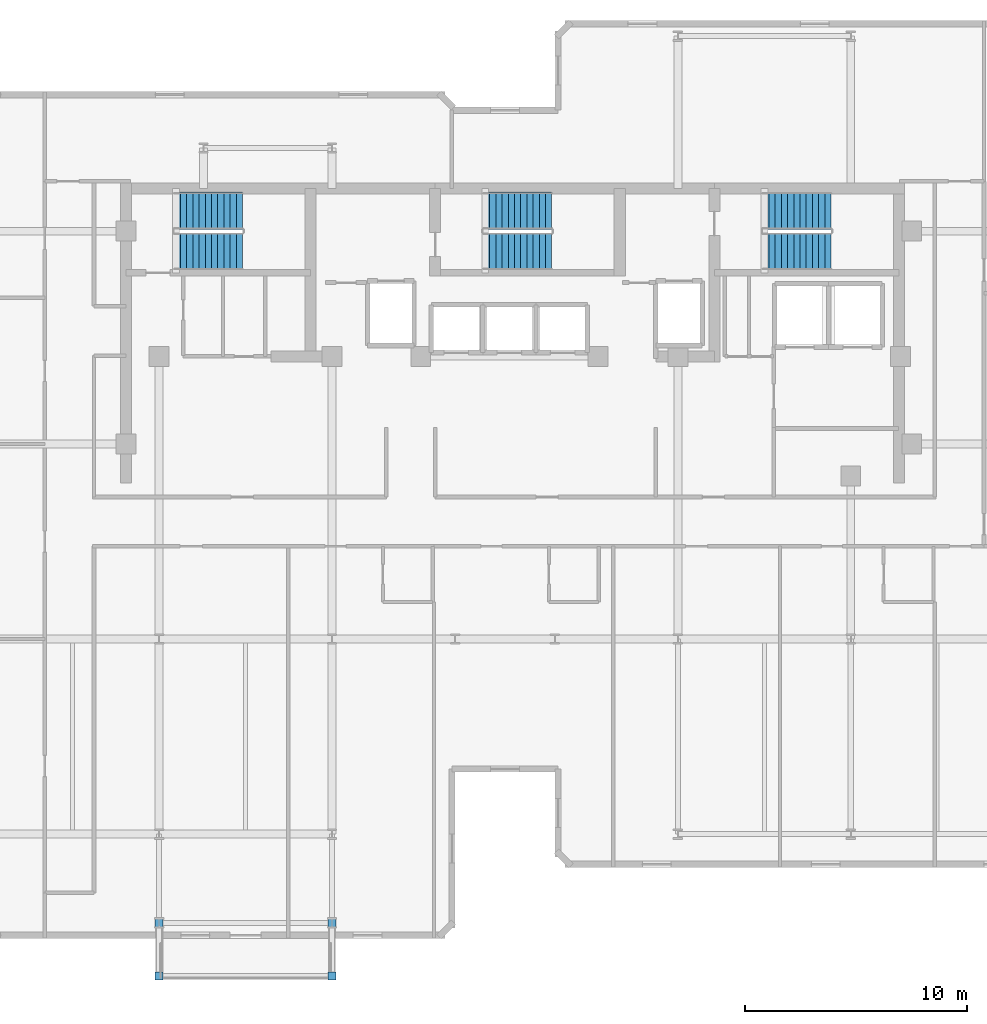
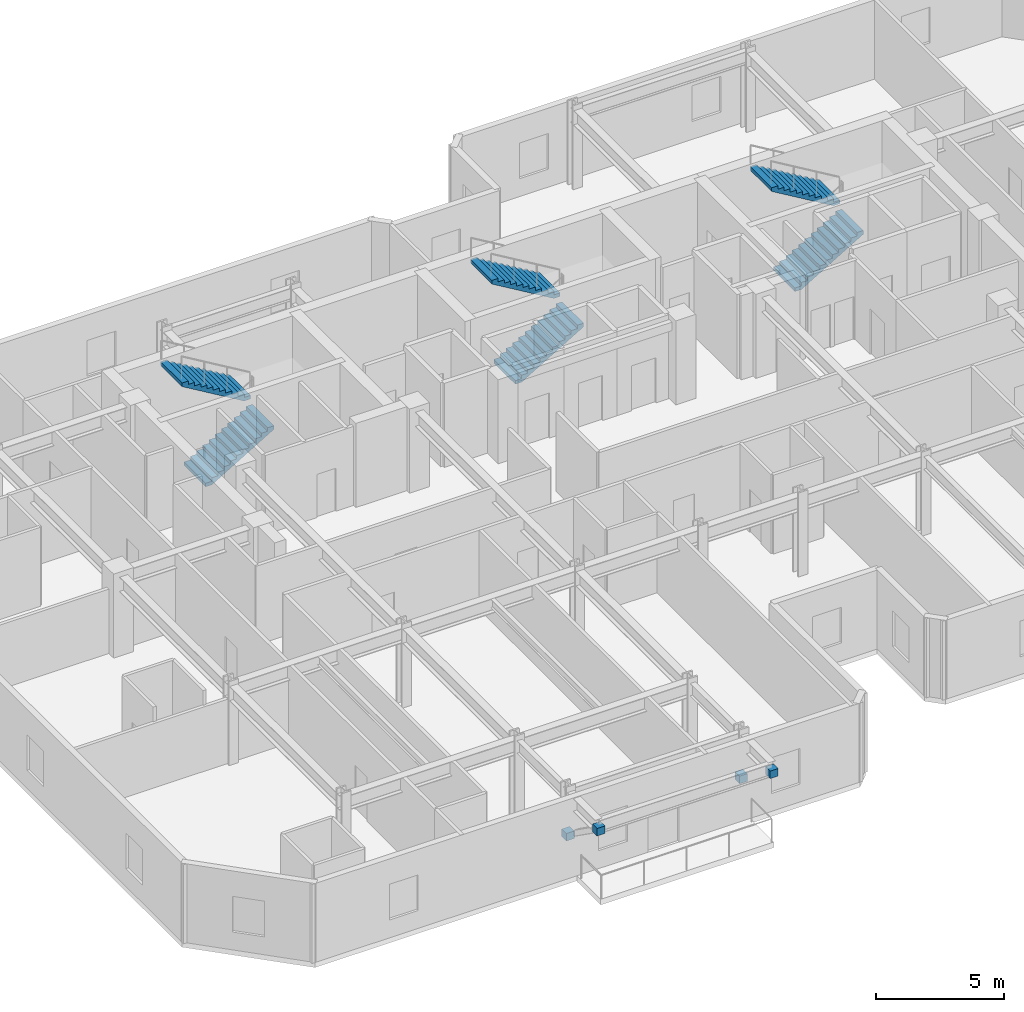
# One storey, part 8 of 10: 6 stair flights, 4 discrete accessories, 3 elements without a shape of their own.
"""IFC4 building model written with IfcOpenShell, lengths in metres."""

from ifc_helpers import new_model, si_unit, direction, frame, origin, origin_2d, place, context, subcontext, project, spatial, polyline, rectangle, outline, extrude, material, type_object, element, aggregate, save


model = new_model("IFC4")

# Units and contexts
model_context = context("Model", 3, precision=1e-05, world=origin(), true_north=direction((0.0, 1.0)))
body_context = subcontext(model_context, "Body", "Model", "MODEL_VIEW")
ifc_project = project(units=[si_unit("LENGTHUNIT", "METRE"), si_unit("AREAUNIT", "SQUARE_METRE"), si_unit("VOLUMEUNIT", "CUBIC_METRE"), si_unit("PLANEANGLEUNIT", "RADIAN"), si_unit("MASSUNIT", "GRAM", prefix="KILO")], contexts=[model_context])

# Site, building, storey
site_placement = place(None, origin())
site = spatial("IfcSite", under=ifc_project, at=site_placement, CompositionType="ELEMENT")
building_placement = place(site_placement, origin())
building = spatial("IfcBuilding", under=site, at=building_placement, Name="Kestravale Grand Hotel", CompositionType="ELEMENT")
storey_placement = place(building_placement, frame((0.0, 0.0, 273.39990234375)))
storey = spatial("IfcBuildingStorey", under=building, at=storey_placement, Name="L68", CompositionType="ELEMENT", Elevation=273.39990234375)

# Stair, stair flights
ifc_material_1 = material(Name="Concrete f'c 45 MPa", Category="concrete")
stair_type = type_object("IfcStairType", Name="ST-CORE-400", PredefinedType="HALF_TURN_STAIR", material=ifc_material_1)
stair_1_placement = place(storey_placement, origin())
stair_1 = element("IfcStair", 1, at=stair_1_placement, inside=storey, type_object=stair_type, Name="L68 ST-1", PredefinedType="HALF_TURN_STAIR")
ifc_material_2 = material(Name="Concrete f'c 45 MPa", Category="concrete")
stair_flight_type = type_object("IfcStairFlightType", Name="STF-CORE-400", PredefinedType="STRAIGHT", material=ifc_material_2)
stair_flight_1_placement = place(storey_placement, frame((24.080078125, 37.489990234375, 0.0), z_axis=(0.0, 0.0, 1.0), x_axis=(1.0, 0.0, 0.0)))
stair_flight_1 = element("IfcStairFlight", 2, at=stair_flight_1_placement, type_object=stair_flight_type, Name="ST-1 flight 1", NumberOfRisers=12, NumberOfTreads=11, PredefinedType="STRAIGHT", RiserHeight=0.166666667, TreadLength=0.28, context=body_context, shape_type="SweptSolid", body=[
    extrude(outline(polyline([(0.0, 0.0), (0.0, 0.166748046875), (0.280029296875, 0.166748046875), (0.280029296875, 0.333251953125), (0.56005859375, 0.333251953125), (0.56005859375, 0.5), (0.840087890625, 0.5), (0.840087890625, 0.666748046875), (1.1201171875, 0.666748046875), (1.1201171875, 0.833251953125), (1.39990234375, 0.833251953125), (1.39990234375, 1.0), (1.679931640625, 1.0), (1.679931640625, 1.166748046875), (1.9599609375, 1.166748046875), (1.9599609375, 1.333251953125), (2.239990234375, 1.333251953125), (2.239990234375, 1.5), (2.52001953125, 1.5), (2.52001953125, 1.666748046875), (2.800048828125, 1.666748046875), (2.800048828125, 1.833251953125), (3.080078125, 1.833251953125), (3.080078125, 2.0), (3.080078125, 1.658935546875), (0.29296875, 0.0), (0.0, 0.0)])), frame((0.0, 0.83984375, 0.0), z_axis=(0.0, -1.0, 0.0), x_axis=(1.0, 0.0, 0.0)), (0.0, 0.0, 1.0), 1.679931640625),
])
stair_flight_2_placement = place(storey_placement, frame((27.159912109375, 39.320068359375, 2.0), z_axis=(0.0, 0.0, 1.0), x_axis=(-1.0, 0.0, 0.0)))
stair_flight_2 = element("IfcStairFlight", 3, at=stair_flight_2_placement, type_object=stair_flight_type, Name="ST-1 flight 2", NumberOfRisers=12, NumberOfTreads=11, PredefinedType="STRAIGHT", RiserHeight=0.166666667, TreadLength=0.28, context=body_context, shape_type="SweptSolid", body=[
    extrude(outline(polyline([(0.0, 0.0), (0.0, 0.166748046875), (0.280029296875, 0.166748046875), (0.280029296875, 0.333251953125), (0.56005859375, 0.333251953125), (0.56005859375, 0.5), (0.840087890625, 0.5), (0.840087890625, 0.666748046875), (1.1201171875, 0.666748046875), (1.1201171875, 0.833251953125), (1.39990234375, 0.833251953125), (1.39990234375, 1.0), (1.679931640625, 1.0), (1.679931640625, 1.166748046875), (1.9599609375, 1.166748046875), (1.9599609375, 1.333251953125), (2.239990234375, 1.333251953125), (2.239990234375, 1.5), (2.52001953125, 1.5), (2.52001953125, 1.666748046875), (2.800048828125, 1.666748046875), (2.800048828125, 1.833251953125), (3.080078125, 1.833251953125), (3.080078125, 2.0), (3.080078125, 1.658935546875), (0.29296875, 0.0), (0.0, 0.0)])), frame((0.0, 0.83984375, 0.0), z_axis=(0.0, -1.0, 0.0), x_axis=(1.0, 0.0, 0.0)), (0.0, 0.0, 1.0), 1.679931640625),
])
aggregate(stair_1, [stair_flight_1, stair_flight_2])

stair_2_placement = place(storey_placement, origin())
stair_2 = element("IfcStair", 4, at=stair_2_placement, inside=storey, type_object=stair_type, Name="L68 ST-2", PredefinedType="HALF_TURN_STAIR")
stair_flight_3_placement = place(storey_placement, frame((38.030029296875, 37.489990234375, 0.0), z_axis=(0.0, 0.0, 1.0), x_axis=(1.0, 0.0, 0.0)))
stair_flight_3 = element("IfcStairFlight", 5, at=stair_flight_3_placement, type_object=stair_flight_type, Name="ST-2 flight 1", NumberOfRisers=12, NumberOfTreads=11, PredefinedType="STRAIGHT", RiserHeight=0.166666667, TreadLength=0.28, context=body_context, shape_type="SweptSolid", body=[
    extrude(outline(polyline([(0.0, 0.0), (0.0, 0.166748046875), (0.280029296875, 0.166748046875), (0.280029296875, 0.333251953125), (0.56005859375, 0.333251953125), (0.56005859375, 0.5), (0.840087890625, 0.5), (0.840087890625, 0.666748046875), (1.1201171875, 0.666748046875), (1.1201171875, 0.833251953125), (1.39990234375, 0.833251953125), (1.39990234375, 1.0), (1.679931640625, 1.0), (1.679931640625, 1.166748046875), (1.9599609375, 1.166748046875), (1.9599609375, 1.333251953125), (2.239990234375, 1.333251953125), (2.239990234375, 1.5), (2.52001953125, 1.5), (2.52001953125, 1.666748046875), (2.800048828125, 1.666748046875), (2.800048828125, 1.833251953125), (3.080078125, 1.833251953125), (3.080078125, 2.0), (3.080078125, 1.658935546875), (0.29296875, 0.0), (0.0, 0.0)])), frame((0.0, 0.83984375, 0.0), z_axis=(0.0, -1.0, 0.0), x_axis=(1.0, 0.0, 0.0)), (0.0, 0.0, 1.0), 1.679931640625),
])
stair_flight_4_placement = place(storey_placement, frame((41.110107421875, 39.320068359375, 2.0), z_axis=(0.0, 0.0, 1.0), x_axis=(-1.0, 0.0, 0.0)))
stair_flight_4 = element("IfcStairFlight", 6, at=stair_flight_4_placement, type_object=stair_flight_type, Name="ST-2 flight 2", NumberOfRisers=12, NumberOfTreads=11, PredefinedType="STRAIGHT", RiserHeight=0.166666667, TreadLength=0.28, context=body_context, shape_type="SweptSolid", body=[
    extrude(outline(polyline([(0.0, 0.0), (0.0, 0.166748046875), (0.280029296875, 0.166748046875), (0.280029296875, 0.333251953125), (0.56005859375, 0.333251953125), (0.56005859375, 0.5), (0.840087890625, 0.5), (0.840087890625, 0.666748046875), (1.1201171875, 0.666748046875), (1.1201171875, 0.833251953125), (1.39990234375, 0.833251953125), (1.39990234375, 1.0), (1.679931640625, 1.0), (1.679931640625, 1.166748046875), (1.9599609375, 1.166748046875), (1.9599609375, 1.333251953125), (2.239990234375, 1.333251953125), (2.239990234375, 1.5), (2.52001953125, 1.5), (2.52001953125, 1.666748046875), (2.800048828125, 1.666748046875), (2.800048828125, 1.833251953125), (3.080078125, 1.833251953125), (3.080078125, 2.0), (3.080078125, 1.658935546875), (0.29296875, 0.0), (0.0, 0.0)])), frame((0.0, 0.83984375, 0.0), z_axis=(0.0, -1.0, 0.0), x_axis=(1.0, 0.0, 0.0)), (0.0, 0.0, 1.0), 1.679931640625),
])
aggregate(stair_2, [stair_flight_3, stair_flight_4])

stair_3_placement = place(storey_placement, origin())
stair_3 = element("IfcStair", 7, at=stair_3_placement, inside=storey, type_object=stair_type, Name="L68 ST-3", PredefinedType="HALF_TURN_STAIR")
stair_flight_5_placement = place(storey_placement, frame((50.6298828125, 37.489990234375, 0.0), z_axis=(0.0, 0.0, 1.0), x_axis=(1.0, 0.0, 0.0)))
stair_flight_5 = element("IfcStairFlight", 8, at=stair_flight_5_placement, type_object=stair_flight_type, Name="ST-3 flight 1", NumberOfRisers=12, NumberOfTreads=11, PredefinedType="STRAIGHT", RiserHeight=0.166666667, TreadLength=0.28, context=body_context, shape_type="SweptSolid", body=[
    extrude(outline(polyline([(0.0, 0.0), (0.0, 0.166748046875), (0.280029296875, 0.166748046875), (0.280029296875, 0.333251953125), (0.56005859375, 0.333251953125), (0.56005859375, 0.5), (0.840087890625, 0.5), (0.840087890625, 0.666748046875), (1.1201171875, 0.666748046875), (1.1201171875, 0.833251953125), (1.39990234375, 0.833251953125), (1.39990234375, 1.0), (1.679931640625, 1.0), (1.679931640625, 1.166748046875), (1.9599609375, 1.166748046875), (1.9599609375, 1.333251953125), (2.239990234375, 1.333251953125), (2.239990234375, 1.5), (2.52001953125, 1.5), (2.52001953125, 1.666748046875), (2.800048828125, 1.666748046875), (2.800048828125, 1.833251953125), (3.080078125, 1.833251953125), (3.080078125, 2.0), (3.080078125, 1.658935546875), (0.29296875, 0.0), (0.0, 0.0)])), frame((0.0, 0.83984375, 0.0), z_axis=(0.0, -1.0, 0.0), x_axis=(1.0, 0.0, 0.0)), (0.0, 0.0, 1.0), 1.679931640625),
])
stair_flight_6_placement = place(storey_placement, frame((53.7099609375, 39.320068359375, 2.0), z_axis=(0.0, 0.0, 1.0), x_axis=(-1.0, 0.0, 0.0)))
stair_flight_6 = element("IfcStairFlight", 9, at=stair_flight_6_placement, type_object=stair_flight_type, Name="ST-3 flight 2", NumberOfRisers=12, NumberOfTreads=11, PredefinedType="STRAIGHT", RiserHeight=0.166666667, TreadLength=0.28, context=body_context, shape_type="SweptSolid", body=[
    extrude(outline(polyline([(0.0, 0.0), (0.0, 0.166748046875), (0.280029296875, 0.166748046875), (0.280029296875, 0.333251953125), (0.56005859375, 0.333251953125), (0.56005859375, 0.5), (0.840087890625, 0.5), (0.840087890625, 0.666748046875), (1.1201171875, 0.666748046875), (1.1201171875, 0.833251953125), (1.39990234375, 0.833251953125), (1.39990234375, 1.0), (1.679931640625, 1.0), (1.679931640625, 1.166748046875), (1.9599609375, 1.166748046875), (1.9599609375, 1.333251953125), (2.239990234375, 1.333251953125), (2.239990234375, 1.5), (2.52001953125, 1.5), (2.52001953125, 1.666748046875), (2.800048828125, 1.666748046875), (2.800048828125, 1.833251953125), (3.080078125, 1.833251953125), (3.080078125, 2.0), (3.080078125, 1.658935546875), (0.29296875, 0.0), (0.0, 0.0)])), frame((0.0, 0.83984375, 0.0), z_axis=(0.0, -1.0, 0.0), x_axis=(1.0, 0.0, 0.0)), (0.0, 0.0, 1.0), 1.679931640625),
])
aggregate(stair_3, [stair_flight_5, stair_flight_6])

# Discrete accessories
ifc_material_3 = material(Name="Steel ASTM A572 Grade 50 hot-dip galvanised bracket", Category="steel")
discrete_accessory_type = type_object("IfcDiscreteAccessoryType", Name="ACC-BRK-STL", PredefinedType="BRACKET", material=ifc_material_3)
for number, where, z_axis, x_axis, name in (
    (10, (23.39990234375, 7.199951171875, 1.39404296875), (0.0, 0.0, 1.0), (1.0, 0.0, 0.0), "L69 terrace strut column bracket 1"),
    (11, (23.39990234375, 4.800048828125, 3.09423828125), (0.0, 0.0, 1.0), (1.0, 0.0, 0.0), "L69 terrace strut beam bracket 1"),
    (12, (31.199951171875, 7.199951171875, 1.39404296875), (0.0, 0.0, 1.0), (1.0, 0.0, 0.0), "L69 terrace strut column bracket 2"),
    (13, (31.199951171875, 4.800048828125, 3.09423828125), (0.0, 0.0, 1.0), (1.0, 0.0, 0.0), "L69 terrace strut beam bracket 2"),
):
    element("IfcDiscreteAccessory", number, at=place(storey_placement, frame(where, z_axis=z_axis, x_axis=x_axis)), inside=storey, type_object=discrete_accessory_type, Name=name, PredefinedType="BRACKET", context=body_context, shape_type="SweptSolid", body=[
        extrude(rectangle(XDim=0.360107421875, YDim=0.360107421875, at=origin_2d()), origin(), (0.0, 0.0, 1.0), 0.360107421875),
    ])

save(model, "model.ifc")
